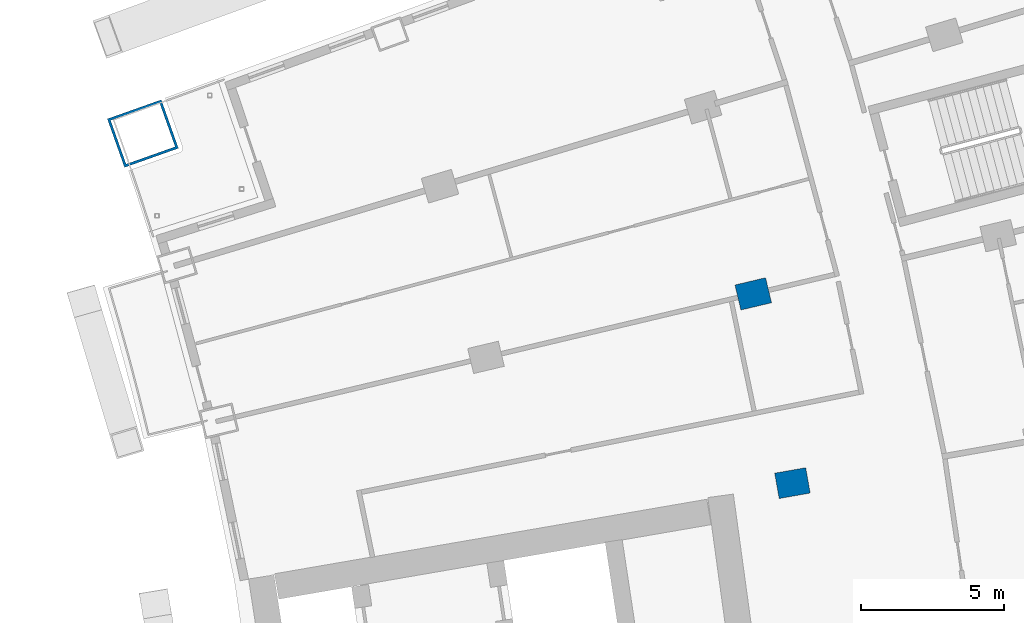
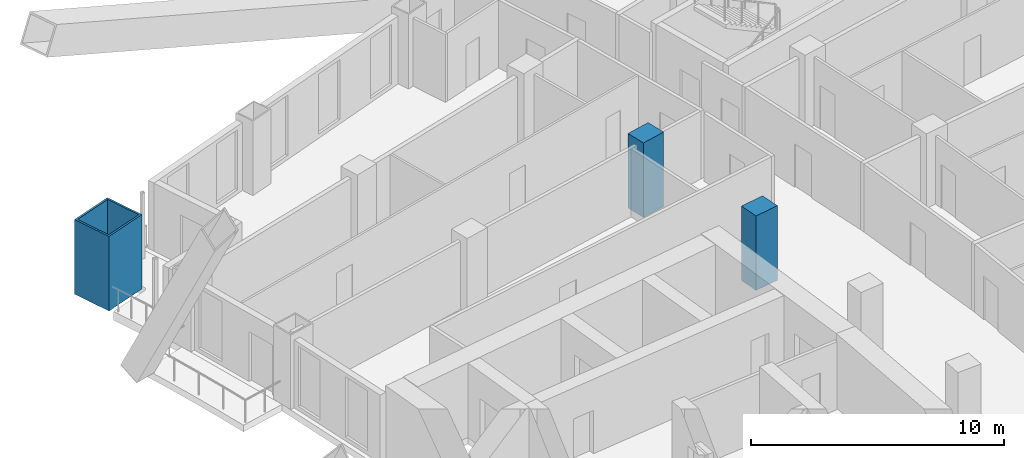
# One storey, part 8 of 25: 3 columns.
"""IFC4 building model written with IfcOpenShell, lengths in metres."""

from ifc_helpers import new_model, si_unit, direction, frame, origin, origin_2d, place, context, subcontext, project, spatial, rectangle, hollow_rectangle, extrude, material, material_profile, profile_set, type_object, element, save


model = new_model("IFC4")

# Units and contexts
model_context = context("Model", 3, precision=1e-05, world=origin(), true_north=direction((0.0, 1.0)))
body_context = subcontext(model_context, "Body", "Model", "MODEL_VIEW")
ifc_project = project(units=[si_unit("LENGTHUNIT", "METRE"), si_unit("AREAUNIT", "SQUARE_METRE"), si_unit("VOLUMEUNIT", "CUBIC_METRE"), si_unit("PLANEANGLEUNIT", "RADIAN"), si_unit("MASSUNIT", "GRAM", prefix="KILO")], contexts=[model_context])

# Site, building, storey
site_placement = place(None, origin())
site = spatial("IfcSite", under=ifc_project, at=site_placement, CompositionType="ELEMENT")
building_placement = place(site_placement, origin())
building = spatial("IfcBuilding", under=site, at=building_placement, Name="Alderwake Tower", CompositionType="ELEMENT")
storey_placement = place(building_placement, frame((0.0, 0.0, 64.39990234375)))
storey = spatial("IfcBuildingStorey", under=building, at=storey_placement, Name="L15", CompositionType="ELEMENT", Elevation=64.39990234375)

# Columns
ifc_material_1 = material(Name="Concrete C70/85", Category="concrete")
ifc_material_profile_1 = material_profile(ifc_material_1, rectangle(XDim=0.89990234375, YDim=1.10009765625, at=origin_2d()), Name="RC 1100X900")
ifc_profile_set_1 = profile_set([ifc_material_profile_1], Name="Concrete C70/85")
column_type_1 = type_object("IfcColumnType", Name="Interior column Z1", PredefinedType="COLUMN", material=ifc_profile_set_1)
for number, where, z_axis, x_axis, name in (
    (1, (34.03125, 81.16162109375, 0.0), (0.0, 0.0, 1.0), (-0.174108800747, 0.984726421654, 0.0), "Column R10-C2"),
    (2, (32.661865234375, 87.775390625, 0.0), (0.0, 0.0, 1.0), (-0.231221547198, 0.972901123502, 0.0), "Column R11-C2"),
):
    element("IfcColumn", number, at=place(storey_placement, frame(where, z_axis=z_axis, x_axis=x_axis)), inside=storey, type_object=column_type_1, Name=name, PredefinedType="COLUMN", context=body_context, shape_type="SweptSolid", body=[
        extrude(rectangle(XDim=0.89990234375, YDim=1.10009765625, at=origin_2d()), origin(), (0.0, 0.0, 1.0), 3.60009765625),
    ])
ifc_material_2 = material(Name="Steel ASTM A572 Grade 50 concrete filled C70/85", Category="concrete")
ifc_material_profile_2 = material_profile(ifc_material_2, hollow_rectangle(XDim=1.800048828125, YDim=2.0, WallThickness=0.090087890625, at=origin_2d()), Name="BOX 2000X1800X90")
ifc_profile_set_2 = profile_set([ifc_material_profile_2], Name="Steel ASTM A572 Grade 50 concrete filled C70/85")
column_type_2 = type_object("IfcColumnType", Name="Mega column Z1", PredefinedType="COLUMN", material=ifc_profile_set_2)
column_placement = place(storey_placement, frame((11.330810546875, 93.377197265625, 0.0), z_axis=(0.0, 0.0, 1.0), x_axis=(-0.334130947791, 0.942526662609, 0.0)))
element("IfcColumn", 3, at=column_placement, inside=storey, type_object=column_type_2, Name="Column R13-C0", PredefinedType="COLUMN", context=body_context, shape_type="SweptSolid", body=[
    extrude(hollow_rectangle(XDim=1.800048828125, YDim=2.0, WallThickness=0.090087890625, at=origin_2d()), origin(), (0.0, 0.0, 1.0), 3.60009765625),
])

save(model, "model.ifc")
